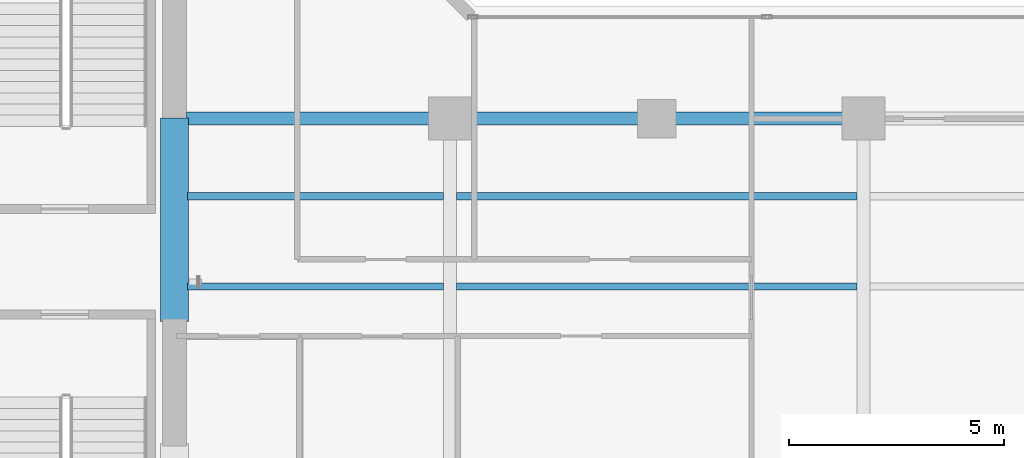
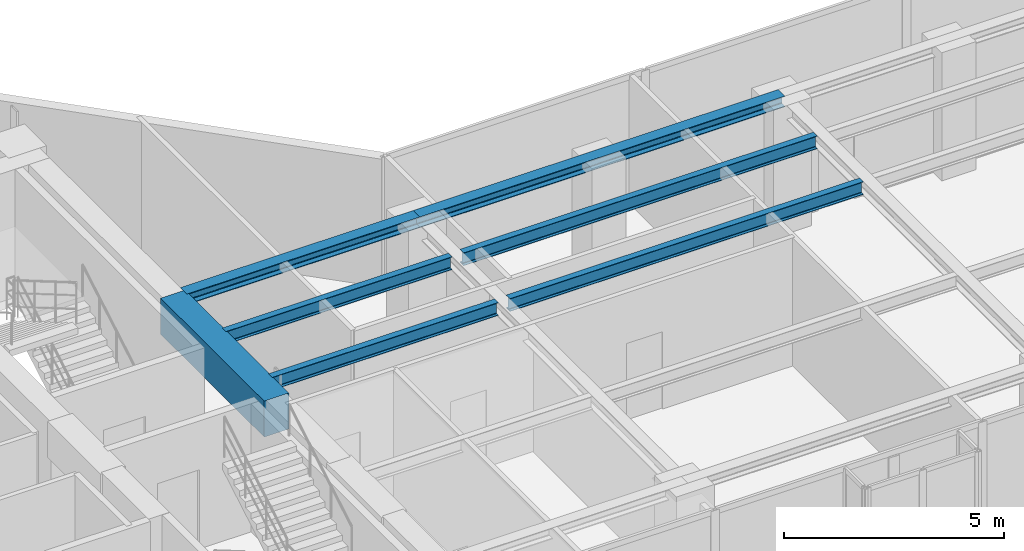
# One storey, part 6 of 23: 7 beams.
"""IFC4 building model written with IfcOpenShell, lengths in metres."""

from ifc_helpers import new_model, si_unit, direction, frame, origin, origin_2d, place, context, subcontext, project, spatial, rectangle, i_section, extrude, material, material_profile, profile_set, type_object, element, save


model = new_model("IFC4")

# Units and contexts
model_context = context("Model", 3, precision=1e-05, world=origin(), true_north=direction((0.0, 1.0)))
body_context = subcontext(model_context, "Body", "Model", "MODEL_VIEW")
ifc_project = project(units=[si_unit("LENGTHUNIT", "METRE"), si_unit("AREAUNIT", "SQUARE_METRE"), si_unit("VOLUMEUNIT", "CUBIC_METRE"), si_unit("PLANEANGLEUNIT", "RADIAN"), si_unit("MASSUNIT", "GRAM", prefix="KILO")], contexts=[model_context])

# Site, building, storey
site_placement = place(None, origin())
site = spatial("IfcSite", under=ifc_project, at=site_placement, CompositionType="ELEMENT")
building_placement = place(site_placement, origin())
building = spatial("IfcBuilding", under=site, at=building_placement, Name="Kolvaren Waterfront Exchange", CompositionType="ELEMENT")
storey_placement = place(building_placement, frame((0.0, 0.0, 234.89990234375)))
storey = spatial("IfcBuildingStorey", under=building, at=storey_placement, Name="L60", CompositionType="ELEMENT", Elevation=234.89990234375)

# Beams
ifc_material_1 = material(Name="Steel S355", Category="steel")
ifc_material_profile_1 = material_profile(ifc_material_1, i_section(OverallWidth=0.300048828125, OverallDepth=0.300048828125, WebThickness=0.010986328125, FlangeThickness=0.01904296875, FilletRadius=0.027099609375, at=origin_2d()), Name="HEB300")
ifc_profile_set_1 = profile_set([ifc_material_profile_1], Name="Steel S355")
beam_type_1 = type_object("IfcBeamType", Name="STR-BM-HEB300", PredefinedType="SPANDREL", material=ifc_profile_set_1)
beam_1_placement = place(storey_placement, frame((21.074951171875, 17.39990234375, 3.41015625), z_axis=(1.0, 0.0, 0.0), x_axis=(0.0, 1.0, 0.0)))
element("IfcBeam", 1, at=beam_1_placement, inside=storey, type_object=beam_type_1, Name="L60 east-arm spandrel N1", PredefinedType="SPANDREL", context=body_context, shape_type="SweptSolid", body=[
    extrude(i_section(OverallWidth=0.300048828125, OverallDepth=0.300048828125, WebThickness=0.010986328125, FlangeThickness=0.01904296875, FilletRadius=0.027099609375, at=origin_2d()), origin(), (0.0, 0.0, 1.0), 6.125),
])
beam_2_placement = place(storey_placement, frame((27.199951171875, 17.39990234375, 3.41015625), z_axis=(1.0, 0.0, 0.0), x_axis=(0.0, 1.0, 0.0)))
element("IfcBeam", 2, at=beam_2_placement, inside=storey, type_object=beam_type_1, Name="L60 east-arm spandrel N2", PredefinedType="SPANDREL", context=body_context, shape_type="SweptSolid", body=[
    extrude(i_section(OverallWidth=0.300048828125, OverallDepth=0.300048828125, WebThickness=0.010986328125, FlangeThickness=0.01904296875, FilletRadius=0.027099609375, at=origin_2d()), origin(), (0.0, 0.0, 1.0), 9.60009765625),
])
ifc_material_profile_2 = material_profile(ifc_material_1, i_section(OverallWidth=0.169921875, OverallDepth=0.360107421875, WebThickness=0.008056640625, FlangeThickness=0.0126953125, FilletRadius=0.01806640625, at=origin_2d()), Name="IPE360")
ifc_profile_set_2 = profile_set([ifc_material_profile_2], Name="Steel S355")
beam_type_2 = type_object("IfcBeamType", Name="STR-BM-IPE360", PredefinedType="JOIST", material=ifc_profile_set_2)
for number, where, z_axis, x_axis, name in (
    (3, (21.10009765625, 13.5, 3.380126953125), (1.0, 0.0, 0.0), (0.0, 1.0, 0.0), "L60 east-arm composite joist 1A"),
    (4, (21.10009765625, 15.60009765625, 3.380126953125), (1.0, 0.0, 0.0), (0.0, 1.0, 0.0), "L60 east-arm composite joist 1C"),
):
    element("IfcBeam", number, at=place(storey_placement, frame(where, z_axis=z_axis, x_axis=x_axis)), inside=storey, type_object=beam_type_2, Name=name, PredefinedType="JOIST", context=body_context, shape_type="SweptSolid", body=[
        extrude(i_section(OverallWidth=0.169921875, OverallDepth=0.360107421875, WebThickness=0.008056640625, FlangeThickness=0.0126953125, FilletRadius=0.01806640625, at=origin_2d()), origin(), (0.0, 0.0, 1.0), 5.947998046875),
    ])
for number, where, z_axis, x_axis, name in (
    (5, (27.35205078125, 13.5, 3.380126953125), (1.0, 0.0, 0.0), (0.0, 1.0, 0.0), "L60 east-arm composite joist 2A"),
    (6, (27.35205078125, 15.60009765625, 3.380126953125), (1.0, 0.0, 0.0), (0.0, 1.0, 0.0), "L60 east-arm composite joist 2C"),
):
    element("IfcBeam", number, at=place(storey_placement, frame(where, z_axis=z_axis, x_axis=x_axis)), inside=storey, type_object=beam_type_2, Name=name, PredefinedType="JOIST", context=body_context, shape_type="SweptSolid", body=[
        extrude(i_section(OverallWidth=0.169921875, OverallDepth=0.360107421875, WebThickness=0.008056640625, FlangeThickness=0.0126953125, FilletRadius=0.01806640625, at=origin_2d()), origin(), (0.0, 0.0, 1.0), 9.2958984375),
    ])
ifc_material_2 = material(Name="Concrete C60/75", Category="concrete")
ifc_material_profile_3 = material_profile(ifc_material_2, rectangle(XDim=0.64990234375, YDim=1.0, at=origin_2d()), Name="RC-CB-1000x650")
ifc_profile_set_3 = profile_set([ifc_material_profile_3], Name="Concrete C60/75")
beam_type_3 = type_object("IfcBeamType", Name="STR-CB-1000", PredefinedType="SPANDREL", material=ifc_profile_set_3)
beam_3_placement = place(storey_placement, frame((20.800048828125, 12.68994140625, 3.06005859375), z_axis=(0.0, 1.0, 0.0), x_axis=(-1.0, 0.0, 0.0)))
element("IfcBeam", 7, at=beam_3_placement, inside=storey, type_object=beam_type_3, Name="L60 core coupling beam 2", PredefinedType="SPANDREL", context=body_context, shape_type="SweptSolid", body=[
    extrude(rectangle(XDim=0.64990234375, YDim=1.0, at=origin_2d()), origin(), (0.0, 0.0, 1.0), 4.719970703125),
])

save(model, "model.ifc")
